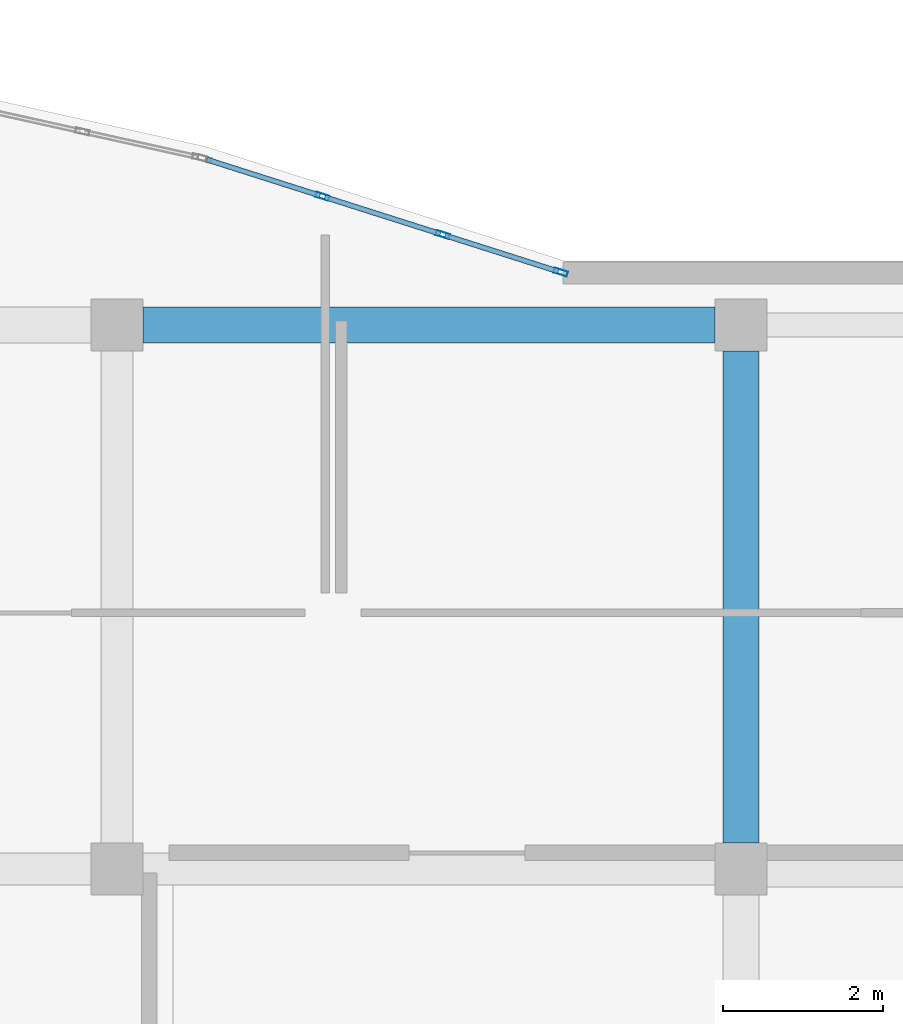
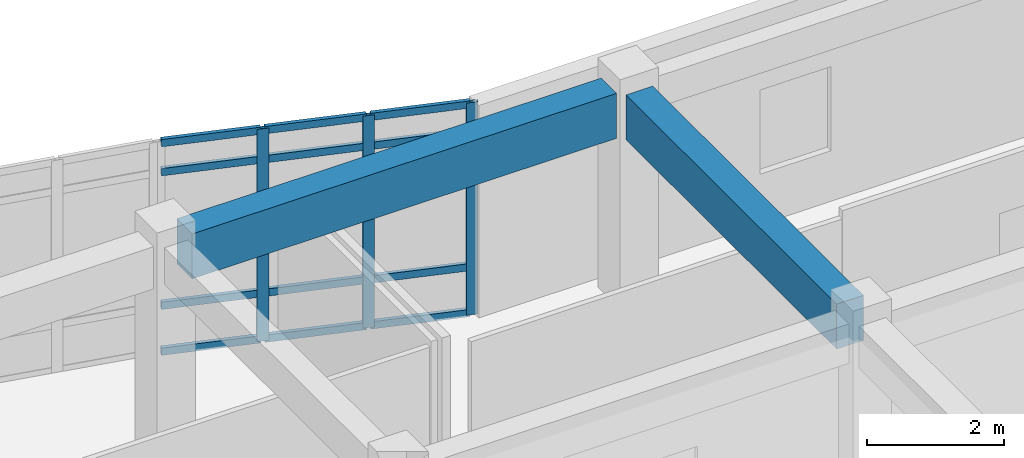
# One storey, part 60 of 146: 15 members, 2 beams, 1 element without a shape of its own.
"""IFC4 building model written with IfcOpenShell, lengths in metres."""

import ifcopenshell
import ifcopenshell.guid

model = None  # the IFC model being written
_history = None  # IfcOwnerHistory: only IFC2X3 demands one
_inside = {}  # id of a spatial element -> (the spatial element, [elements in it])
_under = {}  # id of a project, library or spatial element -> (it, [spatial elements below it])
_declared = {}  # id of a project -> (the project, [libraries it declares])
_typed = {}  # id of a type object -> (the type object, [elements of that type])
_made_of = {}  # id of a material, layer set ... -> (it, [elements and type objects made of it])


def new_model(schema):
    """Start an empty IFC model of exactly this schema.

    Asked for "IFC4X3", IfcOpenShell would pick the latest addendum, in which some entities
    have other attributes; the version numbers below select the first issue.
    IFC2X3 requires an IfcOwnerHistory on every rooted entity: one is made here for all.
    """
    global model, _history
    if schema == "IFC4X3":
        model = ifcopenshell.file(schema_version=(4, 3, 0, 0))
    else:
        model = ifcopenshell.file(schema=schema)
    _inside.clear()
    _under.clear()
    _declared.clear()
    _typed.clear()
    _made_of.clear()
    _history = None
    if model.schema == "IFC2X3":
        org = make("IfcOrganization", Name="unknown")
        user = make(
            "IfcPersonAndOrganization",
            ThePerson=make("IfcPerson", FamilyName="unknown"),
            TheOrganization=org,
        )
        app = make(
            "IfcApplication",
            ApplicationDeveloper=org,
            Version="unknown",
            ApplicationFullName="unknown",
            ApplicationIdentifier="unknown",
        )
        _history = make(
            "IfcOwnerHistory",
            OwningUser=user,
            OwningApplication=app,
            ChangeAction="ADDED",
            CreationDate=0,
        )
    return model


def make(cls, **values):
    """One entity of the class cls with the attributes given. An attribute that is None is left unset."""
    return model.create_entity(
        cls, **{name: value for name, value in values.items() if value is not None}
    )


def rooted(cls, **values):
    """An entity with a GlobalId (a new one), such as an element, a storey or a relation."""
    return make(cls, GlobalId=ifcopenshell.guid.new(), OwnerHistory=_history, **values)


def si_unit(unit_type, name, prefix=None):
    """IfcSIUnit, for example si_unit("LENGTHUNIT", "METRE", prefix="MILLI")."""
    return make("IfcSIUnit", UnitType=unit_type, Prefix=prefix, Name=name)


def assignment(units):
    """IfcUnitAssignment: the units of a project."""
    return None if units is None else make("IfcUnitAssignment", Units=units)


def point(xyz):
    """IfcCartesianPoint."""
    return None if xyz is None else make("IfcCartesianPoint", Coordinates=xyz)


def direction(xyz):
    """IfcDirection."""
    return None if xyz is None else make("IfcDirection", DirectionRatios=xyz)


def frame(location, z_axis=None, x_axis=None):
    """IfcAxis2Placement3D, a coordinate frame: its origin and axes. An axis left out is left unset."""
    return make(
        "IfcAxis2Placement3D",
        Location=point(location),
        Axis=direction(z_axis),
        RefDirection=direction(x_axis),
    )


def frame_2d(location, x_axis=None):
    """IfcAxis2Placement2D, a coordinate frame in the plane: its origin and x axis."""
    return make(
        "IfcAxis2Placement2D", Location=point(location), RefDirection=direction(x_axis)
    )


def origin():
    """The frame at (0, 0, 0) with its axes left unset."""
    return frame((0.0, 0.0, 0.0))


def origin_2d():
    """The frame at (0, 0) in the plane with its x axis left unset."""
    return frame_2d((0.0, 0.0))


def place(relative_to, where):
    """IfcLocalPlacement: puts the frame where relative to a parent placement (None: the world)."""
    return make(
        "IfcLocalPlacement", PlacementRelTo=relative_to, RelativePlacement=where
    )


def context(
    kind, dimensions, precision=None, world=None, true_north=None, identifier=None
):
    """IfcGeometricRepresentationContext, for example the 3D "Model" context."""
    return make(
        "IfcGeometricRepresentationContext",
        ContextIdentifier=identifier,
        ContextType=kind,
        CoordinateSpaceDimension=dimensions,
        Precision=precision,
        WorldCoordinateSystem=world,
        TrueNorth=true_north,
    )


def subcontext(parent, identifier, kind, view, scale=None):
    """IfcGeometricRepresentationSubContext, for example "Body" below "Model"."""
    return make(
        "IfcGeometricRepresentationSubContext",
        ContextIdentifier=identifier,
        ContextType=kind,
        ParentContext=parent,
        TargetScale=scale,
        TargetView=view,
    )


def project(units=None, contexts=None):
    """IfcProject with its units and contexts."""
    return rooted(
        "IfcProject",
        Name="project",
        RepresentationContexts=contexts,
        UnitsInContext=assignment(units),
    )


def spatial(cls, under=None, at=None, **own):
    """A site, building, storey or space (cls), placed at a placement, below another one or the project."""
    s = rooted(cls, ObjectPlacement=at, **own)
    if under is not None:
        _under.setdefault(under.id(), (under, []))[1].append(s)
    return s


def profile(cls, at=None, kind="AREA", **sizes):
    """A parametric profile (cls). Its sizes go by their IFC names, for example OverallWidth=200.0."""
    return make(cls, ProfileType=kind, Position=at, **sizes)


def rectangle(**sizes):
    """IfcRectangleProfileDef."""
    return profile("IfcRectangleProfileDef", **sizes)


def hollow_rectangle(**sizes):
    """IfcRectangleHollowProfileDef."""
    return profile("IfcRectangleHollowProfileDef", **sizes)


def extrude(swept, where, along, depth):
    """IfcExtrudedAreaSolid: the profile swept, set in the frame where, extruded along a direction by depth."""
    return make(
        "IfcExtrudedAreaSolid",
        SweptArea=swept,
        Position=where,
        ExtrudedDirection=direction(along),
        Depth=depth,
    )


def shape(context_of_items, identifier, shape_type, items):
    """IfcShapeRepresentation: the items that make up one representation, for example the "Body"."""
    return make(
        "IfcShapeRepresentation",
        ContextOfItems=context_of_items,
        RepresentationIdentifier=identifier,
        RepresentationType=shape_type,
        Items=items,
    )


def material(Name=None, Category=None):
    """IfcMaterial."""
    return make("IfcMaterial", Name=Name, Category=Category)


def layer(
    of_material, thickness, ventilated=None, Name=None, Category=None, Priority=None
):
    """IfcMaterialLayer: one layer of a wall or slab, of a material (None: an air gap)."""
    return make(
        "IfcMaterialLayer",
        Material=of_material,
        LayerThickness=thickness,
        IsVentilated=ventilated,
        Name=Name,
        Category=Category,
        Priority=Priority,
    )


def layer_set(layers, Name=None):
    """IfcMaterialLayerSet."""
    return make("IfcMaterialLayerSet", MaterialLayers=layers, LayerSetName=Name)


def material_profile(
    of_material, cross_section, Name=None, Category=None, Priority=None
):
    """IfcMaterialProfile: a cross section and its material."""
    return make(
        "IfcMaterialProfile",
        Name=Name,
        Material=of_material,
        Profile=cross_section,
        Priority=Priority,
        Category=Category,
    )


def profile_set(profiles, Name=None, composite=None):
    """IfcMaterialProfileSet."""
    return make(
        "IfcMaterialProfileSet",
        Name=Name,
        MaterialProfiles=profiles,
        CompositeProfile=composite,
    )


def made_of(thing, what):
    """Note that an element or type object is made of a material, layer set ...; save() writes the relation."""
    if what is not None:
        _made_of.setdefault(what.id(), (what, []))[1].append(thing)
    return thing


def type_object(cls, material=None, **own):
    """A type object (cls), such as IfcWallType, which elements share."""
    return made_of(rooted(cls, **own), material)


def element(
    cls,
    number,
    at=None,
    inside=None,
    cuts=None,
    type_object=None,
    material=None,
    context=None,
    identifier="Body",
    shape_type=None,
    held_by="IfcProductDefinitionShape",
    body=None,
    shapes=None,
    **own,
):
    """One element of the class cls, such as IfcWall. Its Tag is "e" and its number.

    at: its placement. inside: the storey or other place that contains it. cuts: it is an
    opening in that element (IfcRelVoidsElement). A single representation is given by context,
    identifier, shape_type and body (its items); several are given by shapes. held_by: the class
    of the entity that holds the representations. save() writes the other relations.
    """
    e = rooted(cls, Tag="e%d" % number, ObjectPlacement=at, **own)
    if body is not None:
        shapes = [shape(context, identifier, shape_type, body)]
    if shapes is not None:
        e.Representation = make(held_by, Representations=shapes)
    if inside is not None:
        _inside.setdefault(inside.id(), (inside, []))[1].append(e)
    if cuts is not None:
        rooted(
            "IfcRelVoidsElement", RelatingBuildingElement=cuts, RelatedOpeningElement=e
        )
    if type_object is not None:
        _typed.setdefault(type_object.id(), (type_object, []))[1].append(e)
    return made_of(e, material)


def aggregate(whole, parts):
    """IfcRelAggregates: a whole, such as a stair, and the parts it consists of."""
    return rooted("IfcRelAggregates", RelatingObject=whole, RelatedObjects=parts)


def save(model, path):
    """Write the relations noted so far, then the file.

    IfcRelAggregates (storeys below a building ...), IfcRelContainedInSpatialStructure (elements
    in a storey), IfcRelDefinesByType, IfcRelAssociatesMaterial and IfcRelDeclares: one each for
    every whole, place, type object, material and project.
    """
    for whole, parts in _under.values():
        aggregate(whole, parts)
    for where, things in _inside.values():
        rooted(
            "IfcRelContainedInSpatialStructure",
            RelatedElements=things,
            RelatingStructure=where,
        )
    for kind, things in _typed.values():
        rooted("IfcRelDefinesByType", RelatedObjects=things, RelatingType=kind)
    for what, things in _made_of.values():
        rooted("IfcRelAssociatesMaterial", RelatedObjects=things, RelatingMaterial=what)
    for by, libraries in _declared.values():
        rooted("IfcRelDeclares", RelatingContext=by, RelatedDefinitions=libraries)
    model.write(path)


model = new_model("IFC4")

# Units and contexts
model_context = context("Model", 3, precision=1e-05, world=origin(), true_north=direction((0.0, 1.0)))
body_context = subcontext(model_context, "Body", "Model", "MODEL_VIEW")
ifc_project = project(units=[si_unit("LENGTHUNIT", "METRE"), si_unit("AREAUNIT", "SQUARE_METRE"), si_unit("VOLUMEUNIT", "CUBIC_METRE"), si_unit("PLANEANGLEUNIT", "RADIAN"), si_unit("MASSUNIT", "GRAM", prefix="KILO")], contexts=[model_context])

# Site, building, storey
site_placement = place(None, origin())
site = spatial("IfcSite", under=ifc_project, at=site_placement, CompositionType="ELEMENT")
building_placement = place(site_placement, origin())
building = spatial("IfcBuilding", under=site, at=building_placement, Name="Valcora Specialist Clinic", CompositionType="ELEMENT")
storey_placement = place(building_placement, frame((0.0, 0.0, 9.52001953125)))
storey = spatial("IfcBuildingStorey", under=building, at=storey_placement, Name="L02", CompositionType="ELEMENT", Elevation=9.52001953125)

# Beams
ifc_material_1 = material(Name="Concrete C40/50", Category="concrete")
ifc_material_profile_1 = material_profile(ifc_material_1, rectangle(XDim=0.449951171875, YDim=0.800048828125, at=origin_2d()), Name="RC-BM-450X800")
ifc_profile_set_1 = profile_set([ifc_material_profile_1], Name="Concrete C40/50")
beam_type = type_object("IfcBeamType", Name="TY-BM-RC450X800", PredefinedType="BEAM", material=ifc_profile_set_1)
beam_1_placement = place(storey_placement, frame((99.72509765625, 22.0, 3.3798828125), z_axis=(1.0, 0.0, 0.0), x_axis=(0.0, 1.0, 0.0)))
element("IfcBeam", 1, at=beam_1_placement, inside=storey, type_object=beam_type, Name="Beam BM-L02-1392", PredefinedType="BEAM", context=body_context, shape_type="SweptSolid", body=[
    extrude(rectangle(XDim=0.449951171875, YDim=0.800048828125, at=origin_2d()), origin(), (0.0, 0.0, 1.0), 7.14990234375),
])
beam_2_placement = place(storey_placement, frame((107.199951171875, 15.52490234375, 3.3798828125), z_axis=(0.0, 1.0, 0.0), x_axis=(-1.0, 0.0, 0.0)))
element("IfcBeam", 2, at=beam_2_placement, inside=storey, type_object=beam_type, Name="Beam BM-L02-1414", PredefinedType="BEAM", context=body_context, shape_type="SweptSolid", body=[
    extrude(rectangle(XDim=0.449951171875, YDim=0.800048828125, at=origin_2d()), origin(), (0.0, 0.0, 1.0), 6.150146484375),
])

# Curtain wall, members
ifc_material_2 = material(Name="Anodized Bronze Aluminium 6063-T6", Category="aluminium")
ifc_layer = layer(ifc_material_2, 0.175048828125)
ifc_layer_set = layer_set([ifc_layer], Name="Anodized Bronze Aluminium 6063-T6")
curtain_wall_type = type_object("IfcCurtainWallType", Name="TY-CW-ARC40", PredefinedType="NOTDEFINED", material=ifc_layer_set)
curtain_wall_placement = place(storey_placement, origin())
curtain_wall = element("IfcCurtainWall", 3, at=curtain_wall_placement, inside=storey, type_object=curtain_wall_type, Name="Curtain wall CW-L02-209", PredefinedType="NOTDEFINED")
ifc_material_profile_2 = material_profile(ifc_material_2, hollow_rectangle(XDim=0.06494140625, YDim=0.175048828125, WallThickness=0.00390625, at=origin_2d()), Name="AL-MUL-65X175")
ifc_profile_set_2 = profile_set([ifc_material_profile_2], Name="Anodized Bronze Aluminium 6063-T6")
member_type_1 = type_object("IfcMemberType", Name="TY-CWM-65X175", PredefinedType="MULLION", material=ifc_profile_set_2)
member_1_placement = place(storey_placement, frame((101.966064453125, 23.60791015625, 0.0), z_axis=(0.0, 0.0, 1.0), x_axis=(0.303233270958, 0.952916356972, 0.0)))
member_1 = element("IfcMember", 4, at=member_1_placement, type_object=member_type_1, Name="CW-ARC-40 mullion 2", PredefinedType="MULLION", context=body_context, shape_type="SweptSolid", body=[
    extrude(hollow_rectangle(XDim=0.06494140625, YDim=0.175048828125, WallThickness=0.00390625, at=origin_2d()), origin(), (0.0, 0.0, 1.0), 3.780029296875),
])
member_2_placement = place(storey_placement, frame((103.471435546875, 23.12890625, 0.0), z_axis=(0.0, 0.0, 1.0), x_axis=(0.303233270958, 0.952916356972, 0.0)))
member_2 = element("IfcMember", 5, at=member_2_placement, type_object=member_type_1, Name="CW-ARC-40 mullion 3", PredefinedType="MULLION", context=body_context, shape_type="SweptSolid", body=[
    extrude(hollow_rectangle(XDim=0.06494140625, YDim=0.175048828125, WallThickness=0.00390625, at=origin_2d()), origin(), (0.0, 0.0, 1.0), 3.780029296875),
])
member_3_placement = place(storey_placement, frame((104.94580078125, 22.659912109375, 0.0), z_axis=(0.0, 0.0, 1.0), x_axis=(0.303233270958, 0.952916356972, 0.0)))
member_3 = element("IfcMember", 6, at=member_3_placement, type_object=member_type_1, Name="CW-ARC-40 mullion 4", PredefinedType="MULLION", context=body_context, shape_type="SweptSolid", body=[
    extrude(hollow_rectangle(XDim=0.06494140625, YDim=0.175048828125, WallThickness=0.00390625, at=origin_2d()), origin(), (0.0, 0.0, 1.0), 3.780029296875),
])
ifc_material_profile_3 = material_profile(ifc_material_2, hollow_rectangle(XDim=0.06494140625, YDim=0.1298828125, WallThickness=0.00390625, at=origin_2d()), Name="AL-TRN-65X130")
ifc_profile_set_3 = profile_set([ifc_material_profile_3], Name="Anodized Bronze Aluminium 6063-T6")
member_type_2 = type_object("IfcMemberType", Name="TY-CWT-65X130", PredefinedType="USERDEFINED", material=ifc_profile_set_3)
member_4_placement = place(storey_placement, frame((100.52294921875, 24.0673828125, 0.032470703125), z_axis=(0.952910635624, -0.303251249816, 0.0), x_axis=(0.303251249816, 0.952910635624, 0.0)))
member_4 = element("IfcMember", 7, at=member_4_placement, type_object=member_type_2, Name="CW-ARC-40 transom 1.1", ObjectType="TRANSOM", PredefinedType="USERDEFINED", context=body_context, shape_type="SweptSolid", body=[
    extrude(hollow_rectangle(XDim=0.06494140625, YDim=0.1298828125, WallThickness=0.00390625, at=origin_2d()), origin(), (0.0, 0.0, 1.0), 1.482177734375),
])
member_5_placement = place(storey_placement, frame((100.52294921875, 24.0673828125, 0.85009765625), z_axis=(0.952910635624, -0.303251249816, 0.0), x_axis=(0.303251249816, 0.952910635624, 0.0)))
member_5 = element("IfcMember", 8, at=member_5_placement, type_object=member_type_2, Name="CW-ARC-40 transom 1.2", ObjectType="TRANSOM", PredefinedType="USERDEFINED", context=body_context, shape_type="SweptSolid", body=[
    extrude(hollow_rectangle(XDim=0.06494140625, YDim=0.1298828125, WallThickness=0.00390625, at=origin_2d()), origin(), (0.0, 0.0, 1.0), 1.482177734375),
])
member_6_placement = place(storey_placement, frame((100.52294921875, 24.0673828125, 3.22998046875), z_axis=(0.952910635624, -0.303251249816, 0.0), x_axis=(0.303251249816, 0.952910635624, 0.0)))
member_6 = element("IfcMember", 9, at=member_6_placement, type_object=member_type_2, Name="CW-ARC-40 transom 1.3", ObjectType="TRANSOM", PredefinedType="USERDEFINED", context=body_context, shape_type="SweptSolid", body=[
    extrude(hollow_rectangle(XDim=0.06494140625, YDim=0.1298828125, WallThickness=0.00390625, at=origin_2d()), origin(), (0.0, 0.0, 1.0), 1.482177734375),
])
member_7_placement = place(storey_placement, frame((100.52294921875, 24.0673828125, 3.74755859375), z_axis=(0.952910635624, -0.303251249816, 0.0), x_axis=(0.303251249816, 0.952910635624, 0.0)))
member_7 = element("IfcMember", 10, at=member_7_placement, type_object=member_type_2, Name="CW-ARC-40 transom 1.4", ObjectType="TRANSOM", PredefinedType="USERDEFINED", context=body_context, shape_type="SweptSolid", body=[
    extrude(hollow_rectangle(XDim=0.06494140625, YDim=0.1298828125, WallThickness=0.00390625, at=origin_2d()), origin(), (0.0, 0.0, 1.0), 1.482177734375),
])
member_8_placement = place(storey_placement, frame((101.9970703125, 23.59814453125, 0.032470703125), z_axis=(0.952930013692, -0.303190351109, 0.0), x_axis=(0.303190351109, 0.952930013692, 0.0)))
member_8 = element("IfcMember", 11, at=member_8_placement, type_object=member_type_2, Name="CW-ARC-40 transom 2.1", ObjectType="TRANSOM", PredefinedType="USERDEFINED", context=body_context, shape_type="SweptSolid", body=[
    extrude(hollow_rectangle(XDim=0.06494140625, YDim=0.1298828125, WallThickness=0.00390625, at=origin_2d()), origin(), (0.0, 0.0, 1.0), 1.5146484375),
])
member_9_placement = place(storey_placement, frame((101.9970703125, 23.59814453125, 0.85009765625), z_axis=(0.952930013692, -0.303190351109, 0.0), x_axis=(0.303190351109, 0.952930013692, 0.0)))
member_9 = element("IfcMember", 12, at=member_9_placement, type_object=member_type_2, Name="CW-ARC-40 transom 2.2", ObjectType="TRANSOM", PredefinedType="USERDEFINED", context=body_context, shape_type="SweptSolid", body=[
    extrude(hollow_rectangle(XDim=0.06494140625, YDim=0.1298828125, WallThickness=0.00390625, at=origin_2d()), origin(), (0.0, 0.0, 1.0), 1.5146484375),
])
member_10_placement = place(storey_placement, frame((101.9970703125, 23.59814453125, 3.22998046875), z_axis=(0.952930013692, -0.303190351109, 0.0), x_axis=(0.303190351109, 0.952930013692, 0.0)))
member_10 = element("IfcMember", 13, at=member_10_placement, type_object=member_type_2, Name="CW-ARC-40 transom 2.3", ObjectType="TRANSOM", PredefinedType="USERDEFINED", context=body_context, shape_type="SweptSolid", body=[
    extrude(hollow_rectangle(XDim=0.06494140625, YDim=0.1298828125, WallThickness=0.00390625, at=origin_2d()), origin(), (0.0, 0.0, 1.0), 1.5146484375),
])
member_11_placement = place(storey_placement, frame((101.9970703125, 23.59814453125, 3.74755859375), z_axis=(0.952930013692, -0.303190351109, 0.0), x_axis=(0.303190351109, 0.952930013692, 0.0)))
member_11 = element("IfcMember", 14, at=member_11_placement, type_object=member_type_2, Name="CW-ARC-40 transom 2.4", ObjectType="TRANSOM", PredefinedType="USERDEFINED", context=body_context, shape_type="SweptSolid", body=[
    extrude(hollow_rectangle(XDim=0.06494140625, YDim=0.1298828125, WallThickness=0.00390625, at=origin_2d()), origin(), (0.0, 0.0, 1.0), 1.5146484375),
])
member_12_placement = place(storey_placement, frame((103.50244140625, 23.119140625, 0.032470703125), z_axis=(0.952910635624, -0.303251249816, 0.0), x_axis=(0.303251249816, 0.952910635624, 0.0)))
member_12 = element("IfcMember", 15, at=member_12_placement, type_object=member_type_2, Name="CW-ARC-40 transom 3.1", ObjectType="TRANSOM", PredefinedType="USERDEFINED", context=body_context, shape_type="SweptSolid", body=[
    extrude(hollow_rectangle(XDim=0.06494140625, YDim=0.1298828125, WallThickness=0.00390625, at=origin_2d()), origin(), (0.0, 0.0, 1.0), 1.482177734375),
])
member_13_placement = place(storey_placement, frame((103.50244140625, 23.119140625, 0.85009765625), z_axis=(0.952910635624, -0.303251249816, 0.0), x_axis=(0.303251249816, 0.952910635624, 0.0)))
member_13 = element("IfcMember", 16, at=member_13_placement, type_object=member_type_2, Name="CW-ARC-40 transom 3.2", ObjectType="TRANSOM", PredefinedType="USERDEFINED", context=body_context, shape_type="SweptSolid", body=[
    extrude(hollow_rectangle(XDim=0.06494140625, YDim=0.1298828125, WallThickness=0.00390625, at=origin_2d()), origin(), (0.0, 0.0, 1.0), 1.482177734375),
])
member_14_placement = place(storey_placement, frame((103.50244140625, 23.119140625, 3.22998046875), z_axis=(0.952910635624, -0.303251249816, 0.0), x_axis=(0.303251249816, 0.952910635624, 0.0)))
member_14 = element("IfcMember", 17, at=member_14_placement, type_object=member_type_2, Name="CW-ARC-40 transom 3.3", ObjectType="TRANSOM", PredefinedType="USERDEFINED", context=body_context, shape_type="SweptSolid", body=[
    extrude(hollow_rectangle(XDim=0.06494140625, YDim=0.1298828125, WallThickness=0.00390625, at=origin_2d()), origin(), (0.0, 0.0, 1.0), 1.482177734375),
])
member_15_placement = place(storey_placement, frame((103.50244140625, 23.119140625, 3.74755859375), z_axis=(0.952910635624, -0.303251249816, 0.0), x_axis=(0.303251249816, 0.952910635624, 0.0)))
member_15 = element("IfcMember", 18, at=member_15_placement, type_object=member_type_2, Name="CW-ARC-40 transom 3.4", ObjectType="TRANSOM", PredefinedType="USERDEFINED", context=body_context, shape_type="SweptSolid", body=[
    extrude(hollow_rectangle(XDim=0.06494140625, YDim=0.1298828125, WallThickness=0.00390625, at=origin_2d()), origin(), (0.0, 0.0, 1.0), 1.482177734375),
])
aggregate(curtain_wall, [member_1, member_2, member_3, member_4, member_5, member_6, member_7, member_8, member_9, member_10, member_11, member_12, member_13, member_14, member_15])

save(model, "model.ifc")
